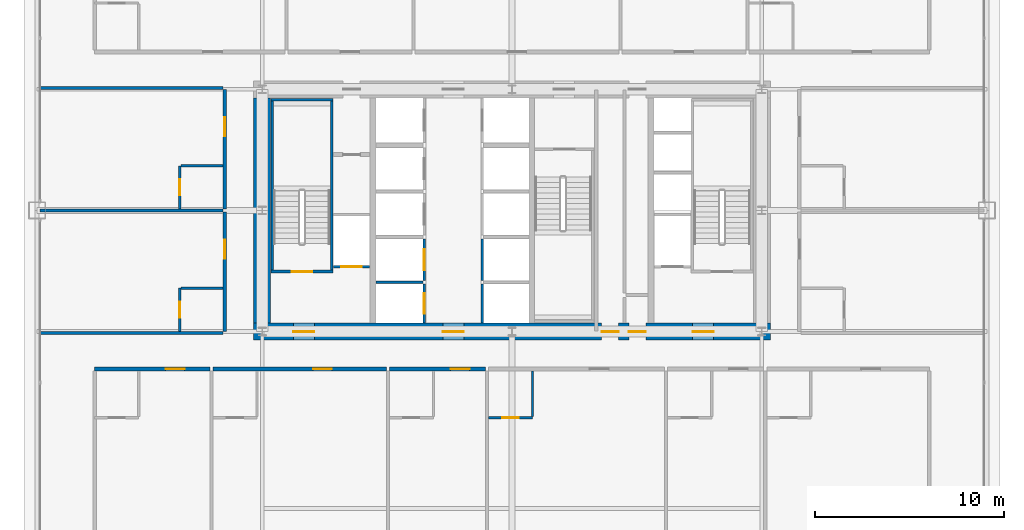
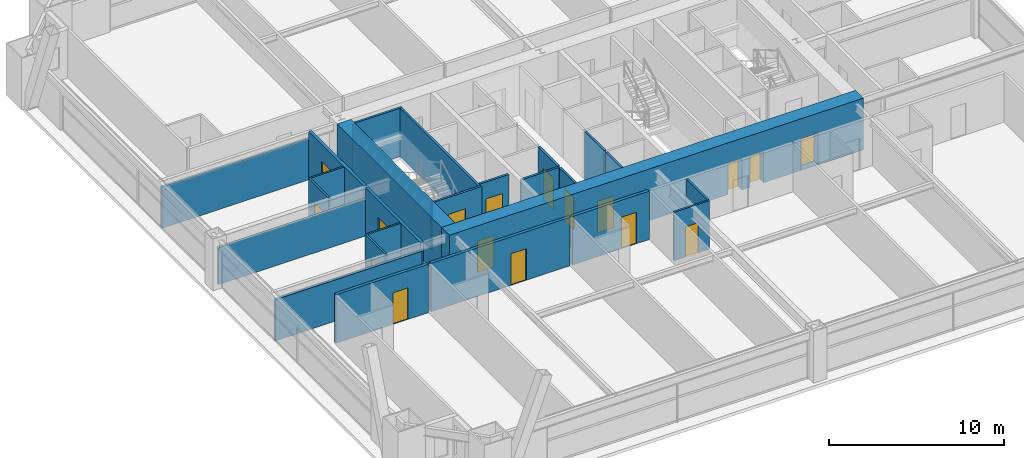
# One storey, part 39 of 43: 26 walls, 17 doors, 17 openings.
"""IFC4 building model written with IfcOpenShell, lengths in metres."""

from ifc_helpers import new_model, si_unit, direction, frame, frame_2d, origin, place, context, subcontext, project, spatial, rectangle, extrude, source, transform, mapped, material, layer, layer_set, type_object, element, fill, save


model = new_model("IFC4")

# Units and contexts
model_context = context("Model", 3, precision=1e-05, world=origin(), true_north=direction((0.0, 1.0)))
body_context = subcontext(model_context, "Body", "Model", "MODEL_VIEW")
ifc_project = project(units=[si_unit("LENGTHUNIT", "METRE"), si_unit("AREAUNIT", "SQUARE_METRE"), si_unit("VOLUMEUNIT", "CUBIC_METRE"), si_unit("PLANEANGLEUNIT", "RADIAN"), si_unit("MASSUNIT", "GRAM", prefix="KILO"), si_unit("THERMODYNAMICTEMPERATUREUNIT", "KELVIN"), si_unit("POWERUNIT", "WATT")], contexts=[model_context])

# Site, building, storey
site_placement = place(None, origin())
site = spatial("IfcSite", under=ifc_project, at=site_placement, CompositionType="ELEMENT")
building_placement = place(site_placement, origin())
building = spatial("IfcBuilding", under=site, at=building_placement, Name="Yuzanri Waterfront Tower", CompositionType="ELEMENT")
storey_placement = place(building_placement, frame((0.0, 0.0, 60.39990234375)))
storey = spatial("IfcBuildingStorey", under=building, at=storey_placement, Name="L15", CompositionType="ELEMENT", Elevation=60.39990234375)

# Wall, opening, door
ifc_material_1 = material(Name="Moisture-Resistant Gypsum Stud Wall", Category="gypsum")
ifc_layer_1 = layer(ifc_material_1, 0.1201171875)
ifc_layer_set_1 = layer_set([ifc_layer_1], Name="Moisture-Resistant Gypsum Stud Wall")
wall_type_1 = type_object("IfcWallType", Name="Bathroom and Kitchen Wet Partition 120", PredefinedType="PARTITIONING", material=ifc_layer_set_1)
wall_1_placement = place(storey_placement, frame((35.756103515625, 14.840087890625, 0.0), z_axis=(0.0, 0.0, 1.0), x_axis=(1.0, 0.0, 0.0)))
wall_1 = element("IfcWall", 1, at=wall_1_placement, inside=storey, type_object=wall_type_1, Name="L15 Partition UW-L15-S4-BS", PredefinedType="PARTITIONING", context=body_context, shape_type="SweptSolid", body=[
    extrude(rectangle(XDim=2.329833984375, YDim=0.1201171875, at=frame_2d((1.1650390625, 0.0))), origin(), (0.0, 0.0, 1.0), 3.380126953125),
])
opening_1_placement = place(wall_1_placement, frame((0.739990234375, 0.0, 0.0)))
opening_1 = element("IfcOpeningElement", 2, at=opening_1_placement, cuts=wall_1, Name="Opening ID-0850", PredefinedType="OPENING", context=body_context, shape_type="SweptSolid", body=[
    extrude(rectangle(XDim=0.85009765625, YDim=2.10009765625, at=frame_2d((0.425048828125, 1.050048828125))), frame((0.0, 0.074951171875, 0.0), z_axis=(0.0, -1.0, 0.0), x_axis=(1.0, 0.0, 0.0)), (0.0, 0.0, 1.0), 0.14990234375),
])
ifc_material_2 = material(Name="Moisture-Resistant Lacquered Timber", Category="wood")
door_type_1 = type_object("IfcDoorType", Name="En-Suite Bathroom and Kitchen Swing Door 850x2100", OperationType="NOTDEFINED", PredefinedType="DOOR", material=ifc_material_2)
shared_shape_1 = source(origin(), body_context, "Body", "SweptSolid", [
    extrude(rectangle(XDim=0.85009765625, YDim=2.10009765625, at=frame_2d((0.425048828125, 1.050048828125))), frame((0.0, 0.02490234375, 0.0), z_axis=(0.0, -1.0, 0.0), x_axis=(1.0, 0.0, 0.0)), (0.0, 0.0, 1.0), 0.050048828125),
])
door_1_placement = place(opening_1_placement, origin())
door_1 = element("IfcDoor", 3, at=door_1_placement, inside=storey, type_object=door_type_1, Name="L15 Guest En-Suite Door", OperationType="SINGLE_SWING_RIGHT", OverallHeight=2.10009765625, OverallWidth=0.85009765625, PredefinedType="DOOR", context=body_context, shape_type="MappedRepresentation", body=[
    mapped(shared_shape_1, transform((0.0, 0.0, 0.0), scale=1.0)),
])
fill(opening_1, door_1)

wall_2_placement = place(storey_placement, frame((19.43994140625, 19.409912109375, 0.0), z_axis=(0.0, 0.0, 1.0), x_axis=(0.0, 1.0, 0.0)))
wall_2 = element("IfcWall", 4, at=wall_2_placement, inside=storey, type_object=wall_type_1, Name="L15 Partition UW-L15-W1-BW", PredefinedType="PARTITIONING", context=body_context, shape_type="SweptSolid", body=[
    extrude(rectangle(XDim=2.280029296875, YDim=0.1201171875, at=frame_2d((1.14013671875, 0.0))), origin(), (0.0, 0.0, 1.0), 3.380126953125),
])
opening_2_placement = place(wall_2_placement, frame((0.715087890625, 0.0, 0.0)))
opening_2 = element("IfcOpeningElement", 5, at=opening_2_placement, cuts=wall_2, Name="Opening ID-0850", PredefinedType="OPENING", context=body_context, shape_type="SweptSolid", body=[
    extrude(rectangle(XDim=0.85009765625, YDim=2.10009765625, at=frame_2d((0.425048828125, 1.050048828125))), frame((0.0, 0.074951171875, 0.0), z_axis=(0.0, -1.0, 0.0), x_axis=(1.0, 0.0, 0.0)), (0.0, 0.0, 1.0), 0.14990234375),
])
door_2_placement = place(opening_2_placement, origin())
door_2 = element("IfcDoor", 6, at=door_2_placement, inside=storey, type_object=door_type_1, Name="L15 Guest En-Suite Door", OperationType="SINGLE_SWING_LEFT", OverallHeight=2.10009765625, OverallWidth=0.85009765625, PredefinedType="DOOR", context=body_context, shape_type="MappedRepresentation", body=[
    mapped(shared_shape_1, transform((0.0, 0.0, 0.0), scale=1.0)),
])
fill(opening_2, door_2)

wall_3_placement = place(storey_placement, frame((19.43994140625, 25.8798828125, 0.0), z_axis=(0.0, 0.0, 1.0), x_axis=(0.0, 1.0, 0.0)))
wall_3 = element("IfcWall", 7, at=wall_3_placement, inside=storey, type_object=wall_type_1, Name="L15 Partition UW-L15-W2-BW", PredefinedType="PARTITIONING", context=body_context, shape_type="SweptSolid", body=[
    extrude(rectangle(XDim=2.280029296875, YDim=0.1201171875, at=frame_2d((1.14013671875, 0.0))), origin(), (0.0, 0.0, 1.0), 3.380126953125),
])
opening_3_placement = place(wall_3_placement, frame((0.715087890625, 0.0, 0.0)))
opening_3 = element("IfcOpeningElement", 8, at=opening_3_placement, cuts=wall_3, Name="Opening ID-0850", PredefinedType="OPENING", context=body_context, shape_type="SweptSolid", body=[
    extrude(rectangle(XDim=0.85009765625, YDim=2.10009765625, at=frame_2d((0.425048828125, 1.050048828125))), frame((0.0, 0.074951171875, 0.0), z_axis=(0.0, -1.0, 0.0), x_axis=(1.0, 0.0, 0.0)), (0.0, 0.0, 1.0), 0.14990234375),
])
door_3_placement = place(opening_3_placement, origin())
door_3 = element("IfcDoor", 9, at=door_3_placement, inside=storey, type_object=door_type_1, Name="L15 Guest En-Suite Door", OperationType="SINGLE_SWING_LEFT", OverallHeight=2.10009765625, OverallWidth=0.85009765625, PredefinedType="DOOR", context=body_context, shape_type="MappedRepresentation", body=[
    mapped(shared_shape_1, transform((0.0, 0.0, 0.0), scale=1.0)),
])
fill(opening_3, door_3)

# Wall, openings, doors
ifc_material_3 = material(Name="Concrete C60", Category="concrete")
ifc_layer_2 = layer(ifc_material_3, 0.89990234375)
ifc_layer_set_2 = layer_set([ifc_layer_2], Name="Concrete C60")
wall_type_2 = type_object("IfcWallType", Name="Concrete C60 Lower Zone Core Shear Wall 900", PredefinedType="SHEAR", material=ifc_layer_set_2)
wall_4_placement = place(storey_placement, frame((23.35009765625, 19.39990234375, 0.0), z_axis=(0.0, 0.0, 1.0), x_axis=(1.0, 0.0, 0.0)))
wall_4 = element("IfcWall", 10, at=wall_4_placement, inside=storey, type_object=wall_type_2, Name="L15 Core South Shear Wall", PredefinedType="SHEAR", context=body_context, shape_type="SweptSolid", body=[
    extrude(rectangle(XDim=27.2998046875, YDim=0.89990234375, at=frame_2d((13.64990234375, 0.0))), origin(), (0.0, 0.0, 1.0), 3.60009765625),
])
opening_4_placement = place(wall_4_placement, frame((2.10009765625, 0.0, 0.0)))
opening_4 = element("IfcOpeningElement", 11, at=opening_4_placement, cuts=wall_4, Name="Opening FD-1100", PredefinedType="OPENING", context=body_context, shape_type="SweptSolid", body=[
    extrude(rectangle(XDim=1.10009765625, YDim=2.199951171875, at=frame_2d((0.550048828125, 1.10009765625))), frame((0.0, 0.46484375, 0.0), z_axis=(0.0, -1.0, 0.0), x_axis=(1.0, 0.0, 0.0)), (0.0, 0.0, 1.0), 0.9296875),
])
opening_5_placement = place(wall_4_placement, frame((10.0, 0.0, 0.0)))
opening_5 = element("IfcOpeningElement", 12, at=opening_5_placement, cuts=wall_4, Name="Opening FD-1100", PredefinedType="OPENING", context=body_context, shape_type="SweptSolid", body=[
    extrude(rectangle(XDim=1.10009765625, YDim=2.199951171875, at=frame_2d((0.550048828125, 1.10009765625))), frame((0.0, 0.46484375, 0.0), z_axis=(0.0, -1.0, 0.0), x_axis=(1.0, 0.0, 0.0)), (0.0, 0.0, 1.0), 0.9296875),
])
opening_6_placement = place(wall_4_placement, frame((23.199951171875, 0.0, 0.0)))
opening_6 = element("IfcOpeningElement", 13, at=opening_6_placement, cuts=wall_4, Name="Opening FD-1100", PredefinedType="OPENING", context=body_context, shape_type="SweptSolid", body=[
    extrude(rectangle(XDim=1.10009765625, YDim=2.199951171875, at=frame_2d((0.550048828125, 1.10009765625))), frame((0.0, 0.46484375, 0.0), z_axis=(0.0, -1.0, 0.0), x_axis=(1.0, 0.0, 0.0)), (0.0, 0.0, 1.0), 0.9296875),
])
opening_7_placement = place(wall_4_placement, frame((19.820068359375, 0.0, 0.0)))
opening_7 = element("IfcOpeningElement", 14, at=opening_7_placement, cuts=wall_4, Name="Opening FD-0900", PredefinedType="OPENING", context=body_context, shape_type="SweptSolid", body=[
    extrude(rectangle(XDim=0.89990234375, YDim=2.14990234375, at=frame_2d((0.449951171875, 1.074951171875))), frame((0.0, 0.46484375, 0.0), z_axis=(0.0, -1.0, 0.0), x_axis=(1.0, 0.0, 0.0)), (0.0, 0.0, 1.0), 0.9296875),
])
opening_8_placement = place(wall_4_placement, frame((18.3798828125, 0.0, 0.0)))
opening_8 = element("IfcOpeningElement", 15, at=opening_8_placement, cuts=wall_4, Name="Opening FD-0900", PredefinedType="OPENING", context=body_context, shape_type="SweptSolid", body=[
    extrude(rectangle(XDim=0.89990234375, YDim=2.14990234375, at=frame_2d((0.449951171875, 1.074951171875))), frame((0.0, 0.46484375, 0.0), z_axis=(0.0, -1.0, 0.0), x_axis=(1.0, 0.0, 0.0)), (0.0, 0.0, 1.0), 0.9296875),
])
ifc_material_4 = material(Name="Painted Galvanized Fire Steel", Category="steel")
door_type_2 = type_object("IfcDoorType", Name="Smoke-Proof Stair and Lobby Fire Door 1100x2200", OperationType="NOTDEFINED", PredefinedType="DOOR", material=ifc_material_4)
shared_shape_2 = source(origin(), body_context, "Body", "SweptSolid", [
    extrude(rectangle(XDim=1.10009765625, YDim=2.199951171875, at=frame_2d((0.550048828125, 1.10009765625))), frame((0.0, 0.02490234375, 0.0), z_axis=(0.0, -1.0, 0.0), x_axis=(1.0, 0.0, 0.0)), (0.0, 0.0, 1.0), 0.050048828125),
])
door_4_placement = place(opening_4_placement, origin())
door_4 = element("IfcDoor", 16, at=door_4_placement, inside=storey, type_object=door_type_2, Name="L15 West Firefighting Lobby Door", OperationType="SINGLE_SWING_LEFT", OverallHeight=2.199951171875, OverallWidth=1.10009765625, PredefinedType="DOOR", context=body_context, shape_type="MappedRepresentation", body=[
    mapped(shared_shape_2, transform((0.0, 0.0, 0.0), scale=1.0)),
])
fill(opening_4, door_4)
door_5_placement = place(opening_5_placement, origin())
door_5 = element("IfcDoor", 17, at=door_5_placement, inside=storey, type_object=door_type_2, Name="L15 Central Lift Lobby South Door", OperationType="SINGLE_SWING_RIGHT", OverallHeight=2.199951171875, OverallWidth=1.10009765625, PredefinedType="DOOR", context=body_context, shape_type="MappedRepresentation", body=[
    mapped(shared_shape_2, transform((0.0, 0.0, 0.0), scale=1.0)),
])
fill(opening_5, door_5)
door_6_placement = place(opening_6_placement, origin())
door_6 = element("IfcDoor", 18, at=door_6_placement, inside=storey, type_object=door_type_2, Name="L15 East Firefighting Lobby Door", OperationType="SINGLE_SWING_LEFT", OverallHeight=2.199951171875, OverallWidth=1.10009765625, PredefinedType="DOOR", context=body_context, shape_type="MappedRepresentation", body=[
    mapped(shared_shape_2, transform((0.0, 0.0, 0.0), scale=1.0)),
])
fill(opening_6, door_6)
ifc_material_5 = material(Name="Painted Galvanized Fire Steel", Category="steel")
door_type_3 = type_object("IfcDoorType", Name="Riser and Service Room Fire Door 900x2150", OperationType="NOTDEFINED", PredefinedType="DOOR", material=ifc_material_5)
shared_shape_3 = source(origin(), body_context, "Body", "SweptSolid", [
    extrude(rectangle(XDim=0.89990234375, YDim=2.14990234375, at=frame_2d((0.449951171875, 1.074951171875))), frame((0.0, 0.02490234375, 0.0), z_axis=(0.0, -1.0, 0.0), x_axis=(1.0, 0.0, 0.0)), (0.0, 0.0, 1.0), 0.050048828125),
])
door_7_placement = place(opening_7_placement, origin())
door_7 = element("IfcDoor", 19, at=door_7_placement, inside=storey, type_object=door_type_3, Name="L15 East Wet Riser Door", OperationType="SINGLE_SWING_RIGHT", OverallHeight=2.14990234375, OverallWidth=0.89990234375, PredefinedType="DOOR", context=body_context, shape_type="MappedRepresentation", body=[
    mapped(shared_shape_3, transform((0.0, 0.0, 0.0), scale=1.0)),
])
fill(opening_7, door_7)
door_8_placement = place(opening_8_placement, origin())
door_8 = element("IfcDoor", 20, at=door_8_placement, inside=storey, type_object=door_type_3, Name="L15 Housekeeping Room", OperationType="SINGLE_SWING_LEFT", OverallHeight=2.14990234375, OverallWidth=0.89990234375, PredefinedType="DOOR", context=body_context, shape_type="MappedRepresentation", body=[
    mapped(shared_shape_3, transform((0.0, 0.0, 0.0), scale=1.0)),
])
fill(opening_8, door_8)

# Wall, opening, door
ifc_material_6 = material(Name="Concrete C40", Category="concrete")
ifc_layer_3 = layer(ifc_material_6, 0.139892578125)
ifc_layer_set_3 = layer_set([ifc_layer_3], Name="Concrete C40")
wall_type_3 = type_object("IfcWallType", Name="Core Stair Liner and Hoistway Shaft Wall 140", PredefinedType="SOLIDWALL", material=ifc_layer_set_3)
wall_5_placement = place(storey_placement, frame((27.56005859375, 22.830078125, 0.0), z_axis=(0.0, 0.0, 1.0), x_axis=(1.0, 0.0, 0.0)))
wall_5 = element("IfcWall", 21, at=wall_5_placement, inside=storey, type_object=wall_type_3, Name="L15 Lift FL-01 Front Shaft Wall", PredefinedType="SOLIDWALL", context=body_context, shape_type="SweptSolid", body=[
    extrude(rectangle(XDim=1.919921875, YDim=0.139892578125, at=frame_2d((0.9599609375, 0.0))), origin(), (0.0, 0.0, 1.0), 3.380126953125),
])
opening_9_placement = place(wall_5_placement, frame((0.409912109375, 0.0, 0.0)))
opening_9 = element("IfcOpeningElement", 22, at=opening_9_placement, cuts=wall_5, Name="Opening LD-FL-01", PredefinedType="OPENING", context=body_context, shape_type="SweptSolid", body=[
    extrude(rectangle(XDim=1.10009765625, YDim=2.199951171875, at=frame_2d((0.550048828125, 1.10009765625))), frame((0.0, 0.0849609375, 0.0), z_axis=(0.0, -1.0, 0.0), x_axis=(1.0, 0.0, 0.0)), (0.0, 0.0, 1.0), 0.169677734375),
])
ifc_material_7 = material(Name="Brushed Bronze and Stainless Steel Cab", Category="steel")
door_type_4 = type_object("IfcDoorType", Name="Center-Parting Bronze Lift Landing Sliding Door 1100x2200", OperationType="NOTDEFINED", PredefinedType="DOOR", material=ifc_material_7)
shared_shape_4 = source(origin(), body_context, "Body", "SweptSolid", [
    extrude(rectangle(XDim=1.10009765625, YDim=2.199951171875, at=frame_2d((0.550048828125, 1.10009765625))), frame((0.0, 0.02490234375, 0.0), z_axis=(0.0, -1.0, 0.0), x_axis=(1.0, 0.0, 0.0)), (0.0, 0.0, 1.0), 0.050048828125),
])
door_9_placement = place(opening_9_placement, origin())
door_9 = element("IfcDoor", 23, at=door_9_placement, inside=storey, type_object=door_type_4, Name="L15 FL-01 Lift Landing Sliding Door", OperationType="SLIDING_TO_LEFT", OverallHeight=2.199951171875, OverallWidth=1.10009765625, PredefinedType="DOOR", context=body_context, shape_type="MappedRepresentation", body=[
    mapped(shared_shape_4, transform((0.0, 0.0, 0.0), scale=1.0)),
])
fill(opening_9, door_9)

wall_6_placement = place(storey_placement, frame((32.3701171875, 19.860107421875, 0.0), z_axis=(0.0, 0.0, 1.0), x_axis=(0.0, 1.0, 0.0)))
wall_6 = element("IfcWall", 24, at=wall_6_placement, inside=storey, type_object=wall_type_3, Name="L15 Lift PL-01 Front Shaft Wall", PredefinedType="SOLIDWALL", context=body_context, shape_type="SweptSolid", body=[
    extrude(rectangle(XDim=2.039794921875, YDim=0.139892578125, at=frame_2d((1.02001953125, 0.0))), origin(), (0.0, 0.0, 1.0), 3.380126953125),
])
opening_10_placement = place(wall_6_placement, frame((0.469970703125, 0.0, 0.0)))
opening_10 = element("IfcOpeningElement", 25, at=opening_10_placement, cuts=wall_6, Name="Opening LD-PL-01", PredefinedType="OPENING", context=body_context, shape_type="SweptSolid", body=[
    extrude(rectangle(XDim=1.10009765625, YDim=2.199951171875, at=frame_2d((0.550048828125, 1.10009765625))), frame((0.0, 0.0849609375, 0.0), z_axis=(0.0, -1.0, 0.0), x_axis=(1.0, 0.0, 0.0)), (0.0, 0.0, 1.0), 0.169677734375),
])
door_10_placement = place(opening_10_placement, origin())
door_10 = element("IfcDoor", 26, at=door_10_placement, inside=storey, type_object=door_type_4, Name="L15 PL-01 Lift Landing Sliding Door", OperationType="SLIDING_TO_LEFT", OverallHeight=2.199951171875, OverallWidth=1.10009765625, PredefinedType="DOOR", context=body_context, shape_type="MappedRepresentation", body=[
    mapped(shared_shape_4, transform((0.0, 0.0, 0.0), scale=1.0)),
])
fill(opening_10, door_10)

wall_7_placement = place(storey_placement, frame((32.3701171875, 22.10009765625, 0.0), z_axis=(0.0, 0.0, 1.0), x_axis=(0.0, 1.0, 0.0)))
wall_7 = element("IfcWall", 27, at=wall_7_placement, inside=storey, type_object=wall_type_3, Name="L15 Lift PL-02 Front Shaft Wall", PredefinedType="SOLIDWALL", context=body_context, shape_type="SweptSolid", body=[
    extrude(rectangle(XDim=2.199951171875, YDim=0.139892578125, at=frame_2d((1.10009765625, 0.0))), origin(), (0.0, 0.0, 1.0), 3.380126953125),
])
opening_11_placement = place(wall_7_placement, frame((0.550048828125, 0.0, 0.0)))
opening_11 = element("IfcOpeningElement", 28, at=opening_11_placement, cuts=wall_7, Name="Opening LD-PL-02", PredefinedType="OPENING", context=body_context, shape_type="SweptSolid", body=[
    extrude(rectangle(XDim=1.10009765625, YDim=2.199951171875, at=frame_2d((0.550048828125, 1.10009765625))), frame((0.0, 0.0849609375, 0.0), z_axis=(0.0, -1.0, 0.0), x_axis=(1.0, 0.0, 0.0)), (0.0, 0.0, 1.0), 0.169677734375),
])
door_11_placement = place(opening_11_placement, origin())
door_11 = element("IfcDoor", 29, at=door_11_placement, inside=storey, type_object=door_type_4, Name="L15 PL-02 Lift Landing Sliding Door", OperationType="SLIDING_TO_RIGHT", OverallHeight=2.199951171875, OverallWidth=1.10009765625, PredefinedType="DOOR", context=body_context, shape_type="MappedRepresentation", body=[
    mapped(shared_shape_4, transform((0.0, 0.0, 0.0), scale=1.0)),
])
fill(opening_11, door_11)

wall_8_placement = place(storey_placement, frame((24.260009765625, 22.570068359375, 0.0), z_axis=(0.0, 0.0, 1.0), x_axis=(1.0, 0.0, 0.0)))
wall_8 = element("IfcWall", 30, at=wall_8_placement, inside=storey, type_object=wall_type_3, Name="L15 Shaft Wall STW-L15-ST-01-S", PredefinedType="SOLIDWALL", context=body_context, shape_type="SweptSolid", body=[
    extrude(rectangle(XDim=3.280029296875, YDim=0.139892578125, at=frame_2d((1.64013671875, 0.0))), origin(), (0.0, 0.0, 1.0), 3.380126953125),
])
opening_12_placement = place(wall_8_placement, frame((1.090087890625, 0.0, 0.0)))
opening_12 = element("IfcOpeningElement", 31, at=opening_12_placement, cuts=wall_8, Name="Opening FD-1100", PredefinedType="OPENING", context=body_context, shape_type="SweptSolid", body=[
    extrude(rectangle(XDim=1.10009765625, YDim=2.199951171875, at=frame_2d((0.550048828125, 1.10009765625))), frame((0.0, 0.0849609375, 0.0), z_axis=(0.0, -1.0, 0.0), x_axis=(1.0, 0.0, 0.0)), (0.0, 0.0, 1.0), 0.169677734375),
])
door_12_placement = place(opening_12_placement, origin())
door_12 = element("IfcDoor", 32, at=door_12_placement, inside=storey, type_object=door_type_2, Name="L15 Stair ST-01 Fire Door", OperationType="SINGLE_SWING_RIGHT", OverallHeight=2.199951171875, OverallWidth=1.10009765625, PredefinedType="DOOR", context=body_context, shape_type="MappedRepresentation", body=[
    mapped(shared_shape_2, transform((0.0, 0.0, 0.0), scale=1.0)),
])
fill(opening_12, door_12)

ifc_material_8 = material(Name="Autoclaved Aerated Concrete Blockwork", Category="masonry")
ifc_layer_4 = layer(ifc_material_8, 0.199951171875)
ifc_layer_set_4 = layer_set([ifc_layer_4], Name="Autoclaved Aerated Concrete Blockwork")
wall_type_4 = type_object("IfcWallType", Name="Corridor and Unit Party Fire Wall 200", PredefinedType="PARTITIONING", material=ifc_layer_set_4)
wall_9_placement = place(storey_placement, frame((14.93994140625, 17.419921875, 0.0), z_axis=(0.0, 0.0, 1.0), x_axis=(1.0, 0.0, 0.0)))
wall_9 = element("IfcWall", 33, at=wall_9_placement, inside=storey, type_object=wall_type_4, Name="L15 Partition UW-L15-S1-CN", PredefinedType="PARTITIONING", context=body_context, shape_type="SweptSolid", body=[
    extrude(rectangle(XDim=6.09716796875, YDim=0.199951171875, at=frame_2d((3.048583984375, 0.0))), origin(), (0.0, 0.0, 1.0), 3.380126953125),
])
opening_13_placement = place(wall_9_placement, frame((3.75390625, 0.0, 0.0)))
opening_13 = element("IfcOpeningElement", 34, at=opening_13_placement, cuts=wall_9, Name="Opening FD-1000", PredefinedType="OPENING", context=body_context, shape_type="SweptSolid", body=[
    extrude(rectangle(XDim=1.0, YDim=2.199951171875, at=frame_2d((0.5, 1.10009765625))), frame((0.0, 0.11474609375, 0.0), z_axis=(0.0, -1.0, 0.0), x_axis=(1.0, 0.0, 0.0)), (0.0, 0.0, 1.0), 0.229736328125),
])
ifc_material_9 = material(Name="Engineered Oak Fire-Rated Timber", Category="wood")
door_type_5 = type_object("IfcDoorType", Name="Guestroom and Apartment Entrance Fire Door 1000x2200", OperationType="NOTDEFINED", PredefinedType="DOOR", material=ifc_material_9)
shared_shape_5 = source(origin(), body_context, "Body", "SweptSolid", [
    extrude(rectangle(XDim=1.0, YDim=2.199951171875, at=frame_2d((0.5, 1.10009765625))), frame((0.0, 0.02490234375, 0.0), z_axis=(0.0, -1.0, 0.0), x_axis=(1.0, 0.0, 0.0)), (0.0, 0.0, 1.0), 0.050048828125),
])
door_13_placement = place(opening_13_placement, origin())
door_13 = element("IfcDoor", 35, at=door_13_placement, inside=storey, type_object=door_type_5, Name="L15 Deluxe Riverfront Junior Suite Entrance Door", OperationType="SINGLE_SWING_LEFT", OverallHeight=2.199951171875, OverallWidth=1.0, PredefinedType="DOOR", context=body_context, shape_type="MappedRepresentation", body=[
    mapped(shared_shape_5, transform((0.0, 0.0, 0.0), scale=1.0)),
])
fill(opening_13, door_13)

wall_10_placement = place(storey_placement, frame((21.197021484375, 17.419921875, 0.0), z_axis=(0.0, 0.0, 1.0), x_axis=(1.0, 0.0, 0.0)))
wall_10 = element("IfcWall", 36, at=wall_10_placement, inside=storey, type_object=wall_type_4, Name="L15 Partition UW-L15-S2-CN", PredefinedType="PARTITIONING", context=body_context, shape_type="SweptSolid", body=[
    extrude(rectangle(XDim=9.1640625, YDim=0.199951171875, at=frame_2d((4.58203125, 0.0))), origin(), (0.0, 0.0, 1.0), 3.380126953125),
])
opening_14_placement = place(wall_10_placement, frame((5.287109375, 0.0, 0.0)))
opening_14 = element("IfcOpeningElement", 37, at=opening_14_placement, cuts=wall_10, Name="Opening FD-1000", PredefinedType="OPENING", context=body_context, shape_type="SweptSolid", body=[
    extrude(rectangle(XDim=1.0, YDim=2.199951171875, at=frame_2d((0.5, 1.10009765625))), frame((0.0, 0.11474609375, 0.0), z_axis=(0.0, -1.0, 0.0), x_axis=(1.0, 0.0, 0.0)), (0.0, 0.0, 1.0), 0.229736328125),
])
door_14_placement = place(opening_14_placement, origin())
door_14 = element("IfcDoor", 38, at=door_14_placement, inside=storey, type_object=door_type_5, Name="L15 Deluxe Riverfront Junior Suite Entrance Door", OperationType="SINGLE_SWING_LEFT", OverallHeight=2.199951171875, OverallWidth=1.0, PredefinedType="DOOR", context=body_context, shape_type="MappedRepresentation", body=[
    mapped(shared_shape_5, transform((0.0, 0.0, 0.0), scale=1.0)),
])
fill(opening_14, door_14)

wall_11_placement = place(storey_placement, frame((30.52099609375, 17.419921875, 0.0), z_axis=(0.0, 0.0, 1.0), x_axis=(1.0, 0.0, 0.0)))
wall_11 = element("IfcWall", 39, at=wall_11_placement, inside=storey, type_object=wall_type_4, Name="L15 Partition UW-L15-S3-CN", PredefinedType="PARTITIONING", context=body_context, shape_type="SweptSolid", body=[
    extrude(rectangle(XDim=5.074951171875, YDim=0.199951171875, at=frame_2d((2.53759765625, 0.0))), origin(), (0.0, 0.0, 1.0), 3.380126953125),
])
opening_15_placement = place(wall_11_placement, frame((3.241943359375, 0.0, 0.0)))
opening_15 = element("IfcOpeningElement", 40, at=opening_15_placement, cuts=wall_11, Name="Opening FD-1000", PredefinedType="OPENING", context=body_context, shape_type="SweptSolid", body=[
    extrude(rectangle(XDim=1.0, YDim=2.199951171875, at=frame_2d((0.5, 1.10009765625))), frame((0.0, 0.11474609375, 0.0), z_axis=(0.0, -1.0, 0.0), x_axis=(1.0, 0.0, 0.0)), (0.0, 0.0, 1.0), 0.229736328125),
])
door_15_placement = place(opening_15_placement, origin())
door_15 = element("IfcDoor", 41, at=door_15_placement, inside=storey, type_object=door_type_5, Name="L15 Deluxe Riverfront Junior Suite Entrance Door", OperationType="SINGLE_SWING_LEFT", OverallHeight=2.199951171875, OverallWidth=1.0, PredefinedType="DOOR", context=body_context, shape_type="MappedRepresentation", body=[
    mapped(shared_shape_5, transform((0.0, 0.0, 0.0), scale=1.0)),
])
fill(opening_15, door_15)

wall_12_placement = place(storey_placement, frame((21.820068359375, 19.409912109375, 0.0), z_axis=(0.0, 0.0, 1.0), x_axis=(0.0, 1.0, 0.0)))
wall_12 = element("IfcWall", 42, at=wall_12_placement, inside=storey, type_object=wall_type_4, Name="L15 Partition UW-L15-W1-CW", PredefinedType="PARTITIONING", context=body_context, shape_type="SweptSolid", body=[
    extrude(rectangle(XDim=6.31005859375, YDim=0.199951171875, at=frame_2d((3.155029296875, 0.0))), origin(), (0.0, 0.0, 1.0), 3.380126953125),
])
opening_16_placement = place(wall_12_placement, frame((3.8349609375, 0.0, 0.0)))
opening_16 = element("IfcOpeningElement", 43, at=opening_16_placement, cuts=wall_12, Name="Opening FD-1000", PredefinedType="OPENING", context=body_context, shape_type="SweptSolid", body=[
    extrude(rectangle(XDim=1.0, YDim=2.199951171875, at=frame_2d((0.5, 1.10009765625))), frame((0.0, 0.11474609375, 0.0), z_axis=(0.0, -1.0, 0.0), x_axis=(1.0, 0.0, 0.0)), (0.0, 0.0, 1.0), 0.229736328125),
])
door_16_placement = place(opening_16_placement, origin())
door_16 = element("IfcDoor", 44, at=door_16_placement, inside=storey, type_object=door_type_5, Name="L15 West Guest Room Entrance Door", OperationType="SINGLE_SWING_RIGHT", OverallHeight=2.199951171875, OverallWidth=1.0, PredefinedType="DOOR", context=body_context, shape_type="MappedRepresentation", body=[
    mapped(shared_shape_5, transform((0.0, 0.0, 0.0), scale=1.0)),
])
fill(opening_16, door_16)

wall_13_placement = place(storey_placement, frame((21.820068359375, 25.8798828125, 0.0), z_axis=(0.0, 0.0, 1.0), x_axis=(0.0, 1.0, 0.0)))
wall_13 = element("IfcWall", 45, at=wall_13_placement, inside=storey, type_object=wall_type_4, Name="L15 Partition UW-L15-W2-CW", PredefinedType="PARTITIONING", context=body_context, shape_type="SweptSolid", body=[
    extrude(rectangle(XDim=6.31005859375, YDim=0.199951171875, at=frame_2d((3.155029296875, 0.0))), origin(), (0.0, 0.0, 1.0), 3.380126953125),
])
opening_17_placement = place(wall_13_placement, frame((3.8349609375, 0.0, 0.0)))
opening_17 = element("IfcOpeningElement", 46, at=opening_17_placement, cuts=wall_13, Name="Opening FD-1000", PredefinedType="OPENING", context=body_context, shape_type="SweptSolid", body=[
    extrude(rectangle(XDim=1.0, YDim=2.199951171875, at=frame_2d((0.5, 1.10009765625))), frame((0.0, 0.11474609375, 0.0), z_axis=(0.0, -1.0, 0.0), x_axis=(1.0, 0.0, 0.0)), (0.0, 0.0, 1.0), 0.229736328125),
])
door_17_placement = place(opening_17_placement, origin())
door_17 = element("IfcDoor", 47, at=door_17_placement, inside=storey, type_object=door_type_5, Name="L15 West Guest Room Entrance Door", OperationType="SINGLE_SWING_RIGHT", OverallHeight=2.199951171875, OverallWidth=1.0, PredefinedType="DOOR", context=body_context, shape_type="MappedRepresentation", body=[
    mapped(shared_shape_5, transform((0.0, 0.0, 0.0), scale=1.0)),
])
fill(opening_17, door_17)

# Walls
shared_shape_6 = source(origin(), body_context, "Body", "SweptSolid", [
    extrude(rectangle(XDim=11.89990234375, YDim=0.89990234375, at=frame_2d((5.949951171875, 0.0))), origin(), (0.0, 0.0, 1.0), 3.60009765625),
])
wall_14_placement = place(storey_placement, frame((23.800048828125, 19.85009765625, 0.0), z_axis=(0.0, 0.0, 1.0), x_axis=(0.0, 1.0, 0.0)))
element("IfcWall", 48, at=wall_14_placement, inside=storey, type_object=wall_type_2, Name="L15 Core West Shear Wall", PredefinedType="SHEAR", context=body_context, shape_type="MappedRepresentation", body=[
    mapped(shared_shape_6, transform((0.0, 0.0, 0.0), scale=1.0)),
])
shared_shape_7 = source(origin(), body_context, "Body", "SweptSolid", [
    extrude(rectangle(XDim=2.5, YDim=0.139892578125, at=frame_2d((1.25, 0.0))), origin(), (0.0, 0.0, 1.0), 3.380126953125),
])
wall_15_placement = place(storey_placement, frame((29.800048828125, 22.0, 0.0), z_axis=(0.0, 0.0, 1.0), x_axis=(1.0, 0.0, 0.0)))
element("IfcWall", 49, at=wall_15_placement, inside=storey, type_object=wall_type_3, Name="L15 Lift PL-01 Divider Wall", PredefinedType="SOLIDWALL", context=body_context, shape_type="MappedRepresentation", body=[
    mapped(shared_shape_7, transform((0.0, 0.0, 0.0), scale=1.0)),
])
shared_shape_8 = source(origin(), body_context, "Body", "SweptSolid", [
    extrude(rectangle(XDim=2.039794921875, YDim=0.139892578125, at=frame_2d((1.02001953125, 0.0))), origin(), (0.0, 0.0, 1.0), 3.380126953125),
])
wall_16_placement = place(storey_placement, frame((35.429931640625, 19.860107421875, 0.0), z_axis=(0.0, 0.0, 1.0), x_axis=(0.0, 1.0, 0.0)))
element("IfcWall", 50, at=wall_16_placement, inside=storey, type_object=wall_type_3, Name="L15 Lift PL-05 Front Shaft Wall", PredefinedType="SOLIDWALL", context=body_context, shape_type="MappedRepresentation", body=[
    mapped(shared_shape_8, transform((0.0, 0.0, 0.0), scale=1.0)),
])
shared_shape_9 = source(origin(), body_context, "Body", "SweptSolid", [
    extrude(rectangle(XDim=2.199951171875, YDim=0.139892578125, at=frame_2d((1.10009765625, 0.0))), origin(), (0.0, 0.0, 1.0), 3.380126953125),
])
wall_17_placement = place(storey_placement, frame((35.429931640625, 22.10009765625, 0.0), z_axis=(0.0, 0.0, 1.0), x_axis=(0.0, 1.0, 0.0)))
element("IfcWall", 51, at=wall_17_placement, inside=storey, type_object=wall_type_3, Name="L15 Lift PL-06 Front Shaft Wall", PredefinedType="SOLIDWALL", context=body_context, shape_type="MappedRepresentation", body=[
    mapped(shared_shape_9, transform((0.0, 0.0, 0.0), scale=1.0)),
])
ifc_material_10 = material(Name="Gypsum Fireboard Acoustic Stud Wall", Category="gypsum")
ifc_layer_5 = layer(ifc_material_10, 0.159912109375)
ifc_layer_set_5 = layer_set([ifc_layer_5], Name="Gypsum Fireboard Acoustic Stud Wall")
wall_type_5 = type_object("IfcWallType", Name="Acoustic Suite Demising Partition 160", PredefinedType="PARTITIONING", material=ifc_layer_set_5)
shared_shape_10 = source(origin(), body_context, "Body", "SweptSolid", [
    extrude(rectangle(XDim=9.669921875, YDim=0.159912109375, at=frame_2d((4.8349609375, 0.0))), origin(), (0.0, 0.0, 1.0), 2.875),
])
for number, where, z_axis, x_axis, name in (
    (52, (12.050048828125, 19.330078125, 0.0), (0.0, 0.0, 1.0), (1.0, 0.0, 0.0), "L15-W1 Wing South End Wall"),
    (53, (12.050048828125, 32.27001953125, 0.0), (0.0, 0.0, 1.0), (1.0, 0.0, 0.0), "L15-W2 Wing North End Wall"),
):
    element("IfcWall", number, at=place(storey_placement, frame(where, z_axis=z_axis, x_axis=x_axis)), inside=storey, type_object=wall_type_5, Name=name, PredefinedType="PARTITIONING", context=body_context, shape_type="MappedRepresentation", body=[
        mapped(shared_shape_10, transform((0.0, 0.0, 0.0), scale=1.0)),
    ])
shared_shape_11 = source(origin(), body_context, "Body", "SweptSolid", [
    extrude(rectangle(XDim=3.280029296875, YDim=0.139892578125, at=frame_2d((1.64013671875, 0.0))), origin(), (0.0, 0.0, 1.0), 3.380126953125),
])
wall_18_placement = place(storey_placement, frame((24.260009765625, 31.64990234375, 0.0), z_axis=(0.0, 0.0, 1.0), x_axis=(1.0, 0.0, 0.0)))
element("IfcWall", 54, at=wall_18_placement, inside=storey, type_object=wall_type_3, Name="L15 Stair ST-01 North Shaft Wall", PredefinedType="SOLIDWALL", context=body_context, shape_type="MappedRepresentation", body=[
    mapped(shared_shape_11, transform((0.0, 0.0, 0.0), scale=1.0)),
])
shared_shape_12 = source(origin(), body_context, "Body", "SweptSolid", [
    extrude(rectangle(XDim=8.940185546875, YDim=0.139892578125, at=frame_2d((4.47021484375, 0.0))), origin(), (0.0, 0.0, 1.0), 3.380126953125),
])
for number, where, z_axis, x_axis, name in (
    (55, (24.330078125, 22.639892578125, 0.0), (0.0, 0.0, 1.0), (0.0, 1.0, 0.0), "L15 Stair ST-01 West Shaft Wall"),
    (56, (27.469970703125, 22.639892578125, 0.0), (0.0, 0.0, 1.0), (0.0, 1.0, 0.0), "L15 Stair ST-01 East Shaft Wall"),
):
    element("IfcWall", number, at=place(storey_placement, frame(where, z_axis=z_axis, x_axis=x_axis)), inside=storey, type_object=wall_type_3, Name=name, PredefinedType="SOLIDWALL", context=body_context, shape_type="MappedRepresentation", body=[
        mapped(shared_shape_12, transform((0.0, 0.0, 0.0), scale=1.0)),
    ])
shared_shape_13 = source(origin(), body_context, "Body", "SweptSolid", [
    extrude(rectangle(XDim=2.420166015625, YDim=0.1201171875, at=frame_2d((1.2099609375, 0.0))), origin(), (0.0, 0.0, 1.0), 3.380126953125),
])
wall_19_placement = place(storey_placement, frame((38.0859375, 14.89990234375, 0.0), z_axis=(0.0, 0.0, 1.0), x_axis=(0.0, 1.0, 0.0)))
element("IfcWall", 57, at=wall_19_placement, inside=storey, type_object=wall_type_1, Name="L15-S4 En-Suite Side Wall", PredefinedType="PARTITIONING", context=body_context, shape_type="MappedRepresentation", body=[
    mapped(shared_shape_13, transform((0.0, 0.0, 0.0), scale=1.0)),
])
shared_shape_14 = source(origin(), body_context, "Body", "SweptSolid", [
    extrude(rectangle(XDim=2.219970703125, YDim=0.1201171875, at=frame_2d((1.10986328125, 0.0))), origin(), (0.0, 0.0, 1.0), 3.380126953125),
])
for number, where, z_axis, x_axis, name in (
    (58, (19.5, 21.68994140625, 0.0), (0.0, 0.0, 1.0), (1.0, 0.0, 0.0), "L15-W1 En-Suite Top Wall"),
    (59, (19.5, 28.159912109375, 0.0), (0.0, 0.0, 1.0), (1.0, 0.0, 0.0), "L15-W2 En-Suite Top Wall"),
):
    element("IfcWall", number, at=place(storey_placement, frame(where, z_axis=z_axis, x_axis=x_axis)), inside=storey, type_object=wall_type_1, Name=name, PredefinedType="PARTITIONING", context=body_context, shape_type="MappedRepresentation", body=[
        mapped(shared_shape_14, transform((0.0, 0.0, 0.0), scale=1.0)),
    ])
shared_shape_15 = source(origin(), body_context, "Body", "SweptSolid", [
    extrude(rectangle(XDim=9.669921875, YDim=0.159912109375, at=frame_2d((4.8349609375, 0.0))), origin(), (0.0, 0.0, 1.0), 2.5751953125),
])
wall_20_placement = place(storey_placement, frame((12.050048828125, 25.800048828125, 0.0), z_axis=(0.0, 0.0, 1.0), x_axis=(1.0, 0.0, 0.0)))
element("IfcWall", 60, at=wall_20_placement, inside=storey, type_object=wall_type_5, Name="L15-W1 Wing Party Wall", PredefinedType="PARTITIONING", context=body_context, shape_type="MappedRepresentation", body=[
    mapped(shared_shape_15, transform((0.0, 0.0, 0.0), scale=1.0)),
])

save(model, "model.ifc")
